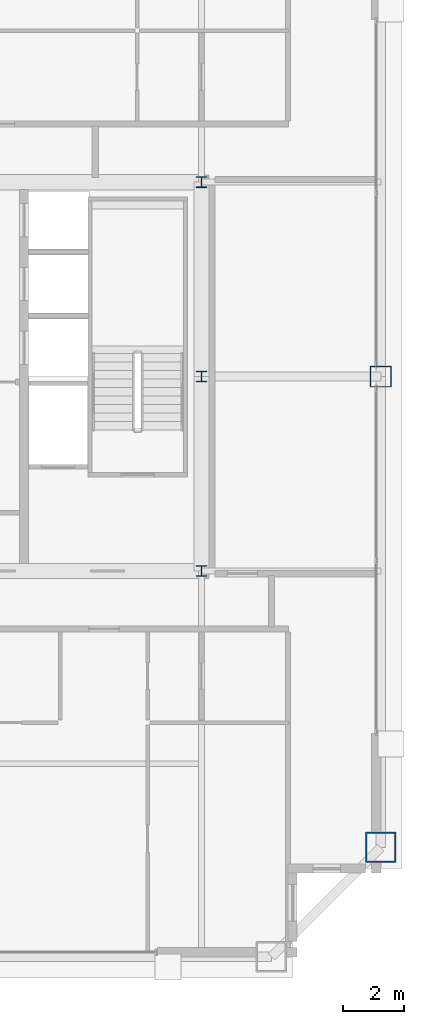
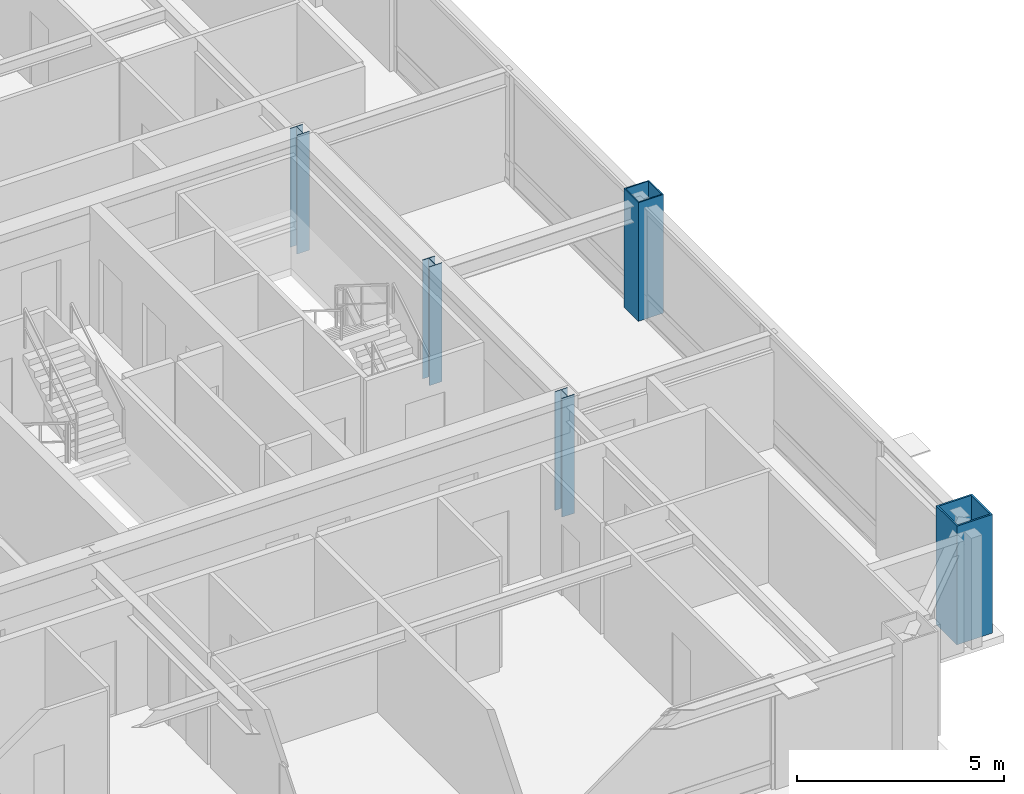
# One storey, part 2 of 35: 5 columns.
"""IFC4 building model written with IfcOpenShell, lengths in metres."""

from ifc_helpers import new_model, si_unit, direction, frame, origin, origin_2d, place, context, subcontext, project, spatial, hollow_rectangle, i_section, extrude, source, transform, mapped, material, material_profile, profile_set, type_object, element, save


model = new_model("IFC4")

# Units and contexts
model_context = context("Model", 3, precision=1e-05, world=origin(), true_north=direction((0.0, 1.0)))
body_context = subcontext(model_context, "Body", "Model", "MODEL_VIEW")
ifc_project = project(units=[si_unit("LENGTHUNIT", "METRE"), si_unit("AREAUNIT", "SQUARE_METRE"), si_unit("VOLUMEUNIT", "CUBIC_METRE"), si_unit("PLANEANGLEUNIT", "RADIAN"), si_unit("MASSUNIT", "GRAM", prefix="KILO"), si_unit("THERMODYNAMICTEMPERATUREUNIT", "KELVIN"), si_unit("POWERUNIT", "WATT")], contexts=[model_context])

# Site, building, storey
site_placement = place(None, origin())
site = spatial("IfcSite", under=ifc_project, at=site_placement, CompositionType="ELEMENT")
building_placement = place(site_placement, origin())
building = spatial("IfcBuilding", under=site, at=building_placement, Name="Yuzanri Waterfront Tower", CompositionType="ELEMENT")
storey_placement = place(building_placement, frame((0.0, 0.0, 318.199951171875)))
storey = spatial("IfcBuildingStorey", under=building, at=storey_placement, Name="L85", CompositionType="ELEMENT", Elevation=318.199951171875)

# Columns
ifc_material_1 = material(Name="Steel Q355B", Category="steel")
ifc_material_profile_1 = material_profile(ifc_material_1, hollow_rectangle(XDim=0.699951171875, YDim=0.699951171875, WallThickness=0.031982421875, at=origin_2d()), Name="RHS 700x700x32")
ifc_profile_set_1 = profile_set([ifc_material_profile_1], Name="Steel Q355B")
column_type_1 = type_object("IfcColumnType", Name="Frame Column Q355B RHS 700x700x32", PredefinedType="COLUMN", material=ifc_profile_set_1)
shared_shape_1 = source(origin(), body_context, "Body", "SweptSolid", [
    extrude(hollow_rectangle(XDim=0.699951171875, YDim=0.699951171875, WallThickness=0.031982421875, at=origin_2d()), origin(), (0.0, 0.0, 1.0), 3.5),
])
column_1_placement = place(storey_placement, frame((56.10009765625, 25.800048828125, 0.0), z_axis=(0.0, 0.0, 1.0), x_axis=(1.0, 0.0, 0.0)))
element("IfcColumn", 1, at=column_1_placement, inside=storey, type_object=column_type_1, Name="L85 Perimeter Frame Column E2", PredefinedType="COLUMN", context=body_context, shape_type="MappedRepresentation", body=[
    mapped(shared_shape_1, transform((0.0, 0.0, 0.0), scale=1.0)),
])
ifc_material_2 = material(Name="Steel Q355B", Category="steel")
ifc_material_profile_2 = material_profile(ifc_material_2, i_section(OverallWidth=0.35009765625, OverallDepth=0.35009765625, WebThickness=0.011962890625, FlangeThickness=0.01904296875, at=origin_2d()), Name="HW 350x350x12x19")
ifc_profile_set_2 = profile_set([ifc_material_profile_2], Name="Steel Q355B")
column_type_2 = type_object("IfcColumnType", Name="Core Post Q355B HW 350x350x12x19", PredefinedType="COLUMN", material=ifc_profile_set_2)
shared_shape_2 = source(origin(), body_context, "Body", "SweptSolid", [
    extrude(i_section(OverallWidth=0.35009765625, OverallDepth=0.35009765625, WebThickness=0.011962890625, FlangeThickness=0.01904296875, at=origin_2d()), origin(), (0.0, 0.0, 1.0), 3.5),
])
for number, where, z_axis, x_axis, name in (
    (2, (50.199951171875, 19.39990234375, 0.0), (0.0, 0.0, 1.0), (1.0, 0.0, 0.0), "L85 Core Boundary Column CP3"),
    (3, (50.199951171875, 25.800048828125, 0.0), (0.0, 0.0, 1.0), (1.0, 0.0, 0.0), "L85 Core Boundary Column CP5"),
    (4, (50.199951171875, 32.199951171875, 0.0), (0.0, 0.0, 1.0), (1.0, 0.0, 0.0), "L85 Core Boundary Column CP8"),
):
    element("IfcColumn", number, at=place(storey_placement, frame(where, z_axis=z_axis, x_axis=x_axis)), inside=storey, type_object=column_type_2, Name=name, PredefinedType="COLUMN", context=body_context, shape_type="MappedRepresentation", body=[
        mapped(shared_shape_2, transform((0.0, 0.0, 0.0), scale=1.0)),
    ])
ifc_material_3 = material(Name="Steel Q390GJC", Category="steel")
ifc_material_profile_3 = material_profile(ifc_material_3, hollow_rectangle(XDim=1.0, YDim=1.0, WallThickness=0.048095703125, at=origin_2d()), Name="RHS 1000x1000x48")
ifc_profile_set_3 = profile_set([ifc_material_profile_3], Name="Steel Q390GJC")
column_type_3 = type_object("IfcColumnType", Name="Mega Column Q390GJC RHS 1000x1000x48", PredefinedType="COLUMN", material=ifc_profile_set_3)
shared_shape_3 = source(origin(), body_context, "Body", "SweptSolid", [
    extrude(hollow_rectangle(XDim=1.0, YDim=1.0, WallThickness=0.048095703125, at=origin_2d()), origin(), (0.0, 0.0, 1.0), 3.5),
])
column_2_placement = place(storey_placement, frame((56.10009765625, 10.300048828125, 0.0), z_axis=(0.0, 0.0, 1.0), x_axis=(1.0, 0.0, 0.0)))
element("IfcColumn", 5, at=column_2_placement, inside=storey, type_object=column_type_3, Name="L85 Perimeter Mega Column E1", PredefinedType="COLUMN", context=body_context, shape_type="MappedRepresentation", body=[
    mapped(shared_shape_3, transform((0.0, 0.0, 0.0), scale=1.0)),
])

save(model, "model.ifc")
